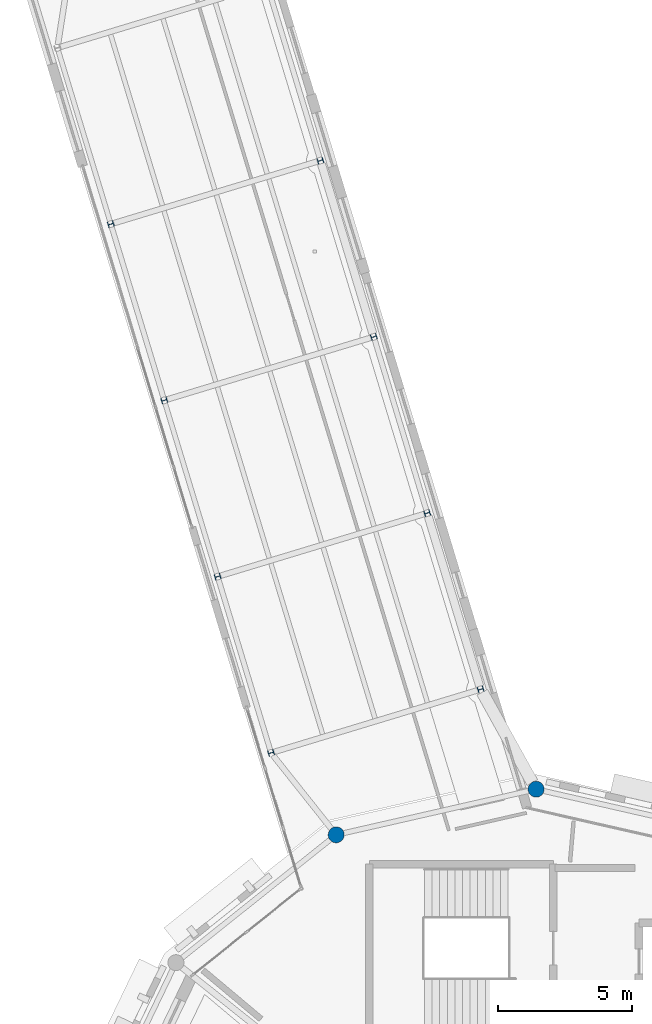
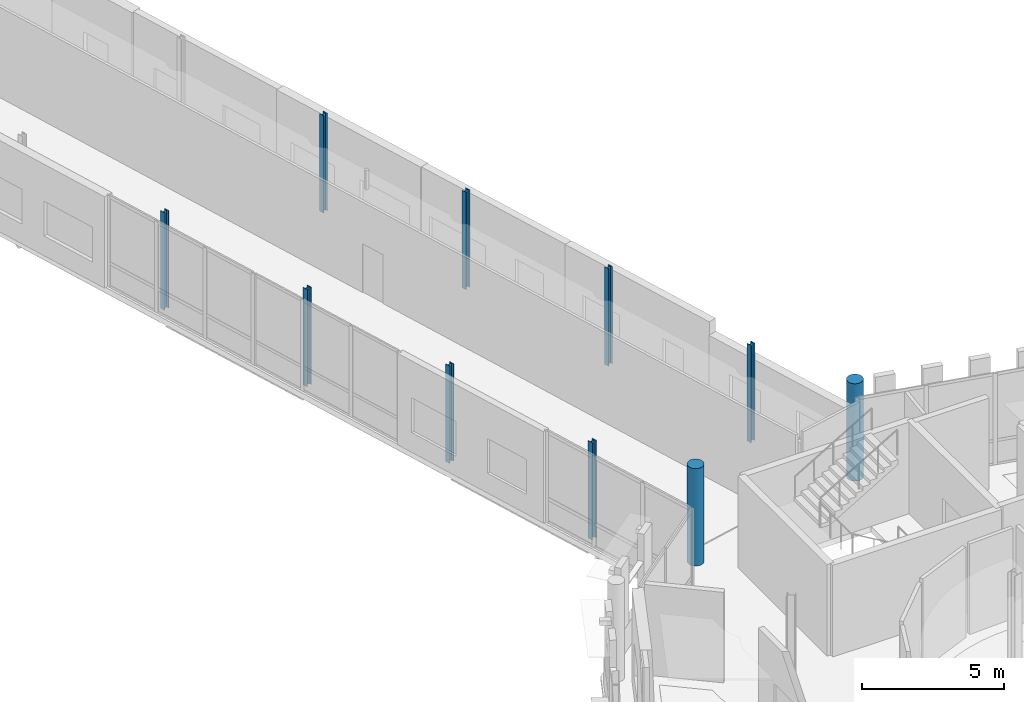
# One storey, part 3 of 125: 10 columns.
"""IFC4 building model written with IfcOpenShell, lengths in metres."""

from ifc_helpers import new_model, si_unit, direction, frame, origin, origin_2d, place, context, subcontext, project, spatial, circle, i_section, extrude, material, material_profile, profile_set, type_object, element, save


model = new_model("IFC4")

# Units and contexts
model_context = context("Model", 3, precision=1e-05, world=origin(), true_north=direction((0.0, 1.0)))
body_context = subcontext(model_context, "Body", "Model", "MODEL_VIEW")
ifc_project = project(units=[si_unit("LENGTHUNIT", "METRE"), si_unit("AREAUNIT", "SQUARE_METRE"), si_unit("VOLUMEUNIT", "CUBIC_METRE"), si_unit("PLANEANGLEUNIT", "RADIAN"), si_unit("MASSUNIT", "GRAM", prefix="KILO")], contexts=[model_context])

# Site, building, storey
site_placement = place(None, origin())
site = spatial("IfcSite", under=ifc_project, at=site_placement, CompositionType="ELEMENT")
building_placement = place(site_placement, origin())
building = spatial("IfcBuilding", under=site, at=building_placement, Name="Wrenclough Park School", CompositionType="ELEMENT")
storey_placement = place(building_placement, frame((0.0, 0.0, 4.199951171875)))
storey = spatial("IfcBuildingStorey", under=building, at=storey_placement, Name="L01", CompositionType="ELEMENT", Elevation=4.199951171875)

# Columns
ifc_material_1 = material(Name="Concrete C40/50", Category="concrete")
ifc_material_profile_1 = material_profile(ifc_material_1, circle(Radius=0.300048828125, at=origin_2d()), Name="RC COL D600")
ifc_profile_set_1 = profile_set([ifc_material_profile_1], Name="Concrete C40/50")
column_type_1 = type_object("IfcColumnType", Name="STR-COL-RCD600", PredefinedType="COLUMN", material=ifc_profile_set_1)
for number, where, z_axis, x_axis, name in (
    (1, (36.5, 40.75, 0.0), (0.0, 0.0, 1.0), (-1.0, 0.0, 0.0), "D2 L01 column D2-OUT-04"),
    (2, (29.015380859375, 39.041748046875, 0.0), (0.0, 0.0, 1.0), (-0.90100131981, -0.43381634559, 0.0), "D2 L01 column D2-OUT-05"),
):
    element("IfcColumn", number, at=place(storey_placement, frame(where, z_axis=z_axis, x_axis=x_axis)), inside=storey, type_object=column_type_1, Name=name, PredefinedType="COLUMN", context=body_context, shape_type="SweptSolid", body=[
        extrude(circle(Radius=0.300048828125, at=origin_2d()), origin(), (0.0, 0.0, 1.0), 4.199951171875),
    ])
ifc_material_2 = material(Name="Structural steel S355", Category="steel")
ifc_material_profile_2 = material_profile(ifc_material_2, i_section(OverallWidth=0.205810546875, OverallDepth=0.209716796875, WebThickness=0.009521484375, FlangeThickness=0.01416015625, FilletRadius=0.01025390625, at=origin_2d()), Name="UKC 203x203x60")
ifc_profile_set_2 = profile_set([ifc_material_profile_2], Name="Structural steel S355")
column_type_2 = type_object("IfcColumnType", Name="STR-COL-UKC203B", PredefinedType="COLUMN", material=ifc_profile_set_2)
for number, where, z_axis, x_axis, name in (
    (3, (26.576171875, 42.111083984375, 0.0), (0.0, 0.0, 1.0), (-0.290034140915, 0.957016299288, 0.0), "W23 L01 column W23-C1-L03"),
    (4, (34.423828125, 44.489013671875, 0.0), (0.0, 0.0, 1.0), (-0.290034140915, 0.957016299288, 0.0), "W23 L01 column W23-C1-R03"),
    (5, (24.576171875, 48.7109375, 0.0), (0.0, 0.0, 1.0), (-0.290034140915, 0.957016299288, 0.0), "W23 L01 column W23-C1-L04"),
    (6, (32.423828125, 51.089111328125, 0.0), (0.0, 0.0, 1.0), (-0.290034140915, 0.957016299288, 0.0), "W23 L01 column W23-C1-R04"),
    (7, (22.576171875, 55.31103515625, 0.0), (0.0, 0.0, 1.0), (-0.290034140915, 0.957016299288, 0.0), "W23 L01 column W23-C1-L05"),
    (8, (30.423828125, 57.68896484375, 0.0), (0.0, 0.0, 1.0), (-0.290034140915, 0.957016299288, 0.0), "W23 L01 column W23-C1-R05"),
    (9, (20.576171875, 61.910888671875, 0.0), (0.0, 0.0, 1.0), (-0.290034140915, 0.957016299288, 0.0), "W23 L01 column W23-C1-L06"),
    (10, (28.423828125, 64.2890625, 0.0), (0.0, 0.0, 1.0), (-0.290034140915, 0.957016299288, 0.0), "W23 L01 column W23-C1-R06"),
):
    element("IfcColumn", number, at=place(storey_placement, frame(where, z_axis=z_axis, x_axis=x_axis)), inside=storey, type_object=column_type_2, Name=name, PredefinedType="COLUMN", context=body_context, shape_type="SweptSolid", body=[
        extrude(i_section(OverallWidth=0.205810546875, OverallDepth=0.209716796875, WebThickness=0.009521484375, FlangeThickness=0.01416015625, FilletRadius=0.01025390625, at=origin_2d()), origin(), (0.0, 0.0, 1.0), 4.199951171875),
    ])

save(model, "model.ifc")
